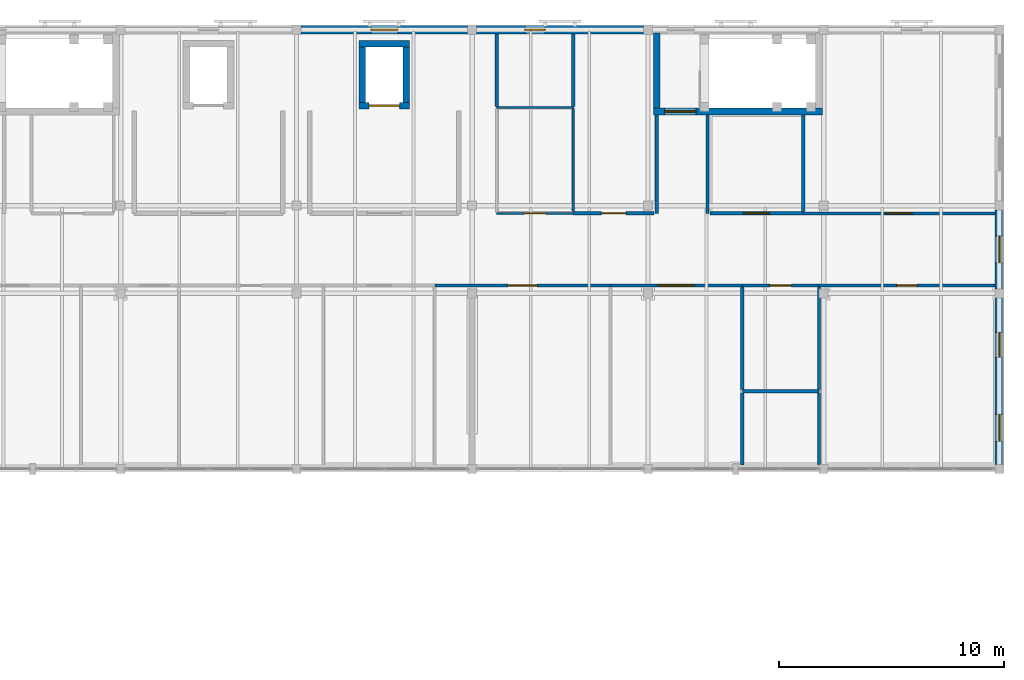
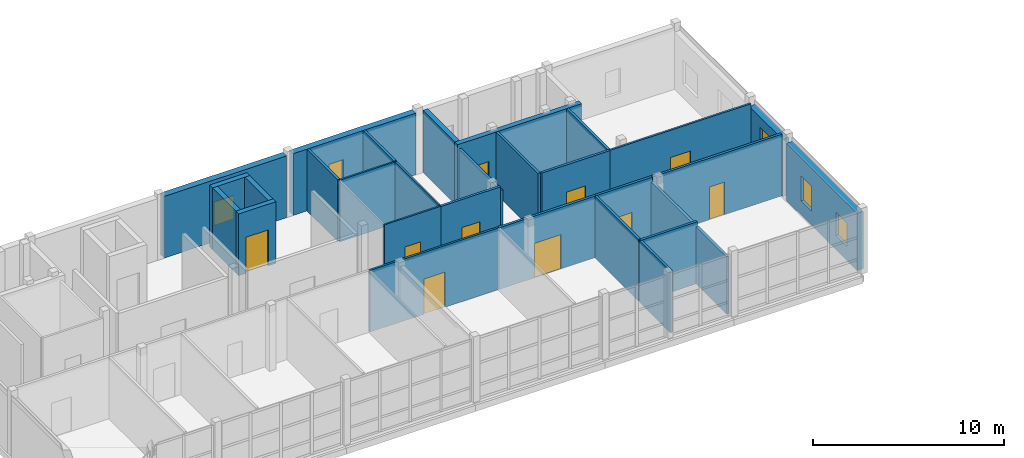
# One storey, part 18 of 21: 30 walls, 10 doors, 5 windows, 15 openings.
"""IFC4 building model written with IfcOpenShell, lengths in metres."""

from ifc_helpers import new_model, si_unit, direction, frame, frame_2d, origin, place, context, subcontext, project, spatial, rectangle, extrude, material, layer, layer_set, type_object, element, fill, save


model = new_model("IFC4")

# Units and contexts
model_context = context("Model", 3, precision=1e-05, world=origin(), true_north=direction((0.0, 1.0)))
body_context = subcontext(model_context, "Body", "Model", "MODEL_VIEW")
ifc_project = project(units=[si_unit("LENGTHUNIT", "METRE"), si_unit("AREAUNIT", "SQUARE_METRE"), si_unit("VOLUMEUNIT", "CUBIC_METRE"), si_unit("PLANEANGLEUNIT", "RADIAN"), si_unit("MASSUNIT", "GRAM", prefix="KILO")], contexts=[model_context])

# Site, building, storey
site_placement = place(None, origin())
site = spatial("IfcSite", under=ifc_project, at=site_placement, CompositionType="ELEMENT")
building_placement = place(site_placement, origin())
building = spatial("IfcBuilding", under=site, at=building_placement, Name="Celorna Specialist Clinic", CompositionType="ELEMENT")
storey_placement = place(building_placement, frame((0.0, 0.0, 23.10009765625)))
storey = spatial("IfcBuildingStorey", under=building, at=storey_placement, Name="L05", CompositionType="ELEMENT", Elevation=23.10009765625)

# Wall, opening, window
ifc_material_1 = material(Name="Terracotta masonry with insulated cavity", Category="masonry")
ifc_layer_1 = layer(ifc_material_1, 0.3798828125, Name="Terracotta masonry with insulated cavity")
ifc_layer_set_1 = layer_set([ifc_layer_1], Name="Terracotta masonry with insulated cavity")
wall_type_1 = type_object("IfcWallType", Name="WT-06", PredefinedType="STANDARD", material=ifc_layer_set_1)
wall_1_placement = place(storey_placement, frame((62.60009765625, 116.0, 0.0), z_axis=(0.0, 0.0, 1.0), x_axis=(1.0, 0.0, 0.0)))
wall_1 = element("IfcWall", 1, at=wall_1_placement, inside=storey, type_object=wall_type_1, Name="External facade wall WT-06 #288", PredefinedType="STANDARD", context=body_context, shape_type="SweptSolid", body=[
    extrude(rectangle(XDim=7.39990234375, YDim=0.3798828125, at=frame_2d((3.699951171875, 0.0))), origin(), (0.0, 0.0, 1.0), 3.93994140625),
])
opening_1_placement = place(wall_1_placement, frame((3.10009765625, 0.0, 0.89990234375)))
opening_1 = element("IfcOpeningElement", 2, at=opening_1_placement, cuts=wall_1, Name="Opening WN-04", PredefinedType="OPENING", context=body_context, shape_type="SweptSolid", body=[
    extrude(rectangle(XDim=1.199951171875, YDim=1.5, at=frame_2d((0.60009765625, 0.75))), frame((0.0, 0.199951171875, 0.0), z_axis=(0.0, -1.0, 0.0), x_axis=(1.0, 0.0, 0.0)), (0.0, 0.0, 1.0), 0.39990234375),
])
ifc_material_2 = material(Name="Thermally broken aluminium triple-glazed window", Category="aluminium")
window_type_1 = type_object("IfcWindowType", Name="WN-04", PartitioningType="SINGLE_PANEL", PredefinedType="WINDOW", material=ifc_material_2)
window_1_placement = place(opening_1_placement, origin())
window_1 = element("IfcWindow", 3, at=window_1_placement, inside=storey, type_object=window_type_1, Name="Facade window WN-04 #167", OverallHeight=1.5, OverallWidth=1.199951171875, PartitioningType="SINGLE_PANEL", PredefinedType="WINDOW", context=body_context, shape_type="SweptSolid", body=[
    extrude(rectangle(XDim=1.199951171875, YDim=1.5, at=frame_2d((0.60009765625, 0.75))), frame((0.0, 0.030029296875, 0.0), z_axis=(0.0, -1.0, 0.0), x_axis=(1.0, 0.0, 0.0)), (0.0, 0.0, 1.0), 0.06005859375),
])
fill(opening_1, window_1)

wall_2_placement = place(storey_placement, frame((70.39990234375, 116.0, 0.0), z_axis=(0.0, 0.0, 1.0), x_axis=(1.0, 0.0, 0.0)))
wall_2 = element("IfcWall", 4, at=wall_2_placement, inside=storey, type_object=wall_type_1, Name="External facade wall WT-06 #289", PredefinedType="STANDARD", context=body_context, shape_type="SweptSolid", body=[
    extrude(rectangle(XDim=7.400146484375, YDim=0.3798828125, at=frame_2d((3.7001953125, 0.0))), origin(), (0.0, 0.0, 1.0), 3.93994140625),
])
opening_2_placement = place(wall_2_placement, frame((2.139892578125, 0.0, 0.89990234375)))
opening_2 = element("IfcOpeningElement", 5, at=opening_2_placement, cuts=wall_2, Name="Opening WN-01", PredefinedType="OPENING", context=body_context, shape_type="SweptSolid", body=[
    extrude(rectangle(XDim=0.89990234375, YDim=1.60009765625, at=frame_2d((0.449951171875, 0.800048828125))), frame((0.0, 0.199951171875, 0.0), z_axis=(0.0, -1.0, 0.0), x_axis=(1.0, 0.0, 0.0)), (0.0, 0.0, 1.0), 0.39990234375),
])
window_type_2 = type_object("IfcWindowType", Name="WN-01", PartitioningType="SINGLE_PANEL", PredefinedType="WINDOW", material=ifc_material_2)
window_2_placement = place(opening_2_placement, origin())
window_2 = element("IfcWindow", 6, at=window_2_placement, inside=storey, type_object=window_type_2, Name="Facade window WN-01 #168", OverallHeight=1.60009765625, OverallWidth=0.89990234375, PartitioningType="SINGLE_PANEL", PredefinedType="WINDOW", context=body_context, shape_type="SweptSolid", body=[
    extrude(rectangle(XDim=0.89990234375, YDim=1.60009765625, at=frame_2d((0.449951171875, 0.800048828125))), frame((0.0, 0.030029296875, 0.0), z_axis=(0.0, -1.0, 0.0), x_axis=(1.0, 0.0, 0.0)), (0.0, 0.0, 1.0), 0.06005859375),
])
fill(opening_2, window_2)

# Wall, openings, windows
wall_3_placement = place(storey_placement, frame((93.60009765625, 104.10009765625, 0.0), z_axis=(0.0, 0.0, 1.0), x_axis=(0.0, -1.0, 0.0)))
wall_3 = element("IfcWall", 7, at=wall_3_placement, inside=storey, type_object=wall_type_1, Name="External facade wall WT-06 #295", PredefinedType="STANDARD", context=body_context, shape_type="SweptSolid", body=[
    extrude(rectangle(XDim=7.400146484375, YDim=0.3798828125, at=frame_2d((3.7001953125, 0.0))), origin(), (0.0, 0.0, 1.0), 3.64990234375),
])
opening_3_placement = place(wall_3_placement, frame((1.534912109375, 0.0, 0.89990234375)))
opening_3 = element("IfcOpeningElement", 8, at=opening_3_placement, cuts=wall_3, Name="Opening WN-03", PredefinedType="OPENING", context=body_context, shape_type="SweptSolid", body=[
    extrude(rectangle(XDim=1.10009765625, YDim=1.60009765625, at=frame_2d((0.550048828125, 0.800048828125))), frame((0.0, 0.199951171875, 0.0), z_axis=(0.0, -1.0, 0.0), x_axis=(1.0, 0.0, 0.0)), (0.0, 0.0, 1.0), 0.39990234375),
])
opening_4_placement = place(wall_3_placement, frame((5.1650390625, 0.0, 0.89990234375)))
opening_4 = element("IfcOpeningElement", 9, at=opening_4_placement, cuts=wall_3, Name="Opening WN-04", PredefinedType="OPENING", context=body_context, shape_type="SweptSolid", body=[
    extrude(rectangle(XDim=1.199951171875, YDim=1.5, at=frame_2d((0.60009765625, 0.75))), frame((0.0, 0.199951171875, 0.0), z_axis=(0.0, -1.0, 0.0), x_axis=(1.0, 0.0, 0.0)), (0.0, 0.0, 1.0), 0.39990234375),
])
window_type_3 = type_object("IfcWindowType", Name="WN-03", PartitioningType="SINGLE_PANEL", PredefinedType="WINDOW", material=ifc_material_2)
window_3_placement = place(opening_3_placement, origin())
window_3 = element("IfcWindow", 10, at=window_3_placement, inside=storey, type_object=window_type_3, Name="Facade window WN-03 #174", OverallHeight=1.60009765625, OverallWidth=1.10009765625, PartitioningType="SINGLE_PANEL", PredefinedType="WINDOW", context=body_context, shape_type="SweptSolid", body=[
    extrude(rectangle(XDim=1.10009765625, YDim=1.60009765625, at=frame_2d((0.550048828125, 0.800048828125))), frame((0.0, 0.030029296875, 0.0), z_axis=(0.0, -1.0, 0.0), x_axis=(1.0, 0.0, 0.0)), (0.0, 0.0, 1.0), 0.06005859375),
])
fill(opening_3, window_3)
window_4_placement = place(opening_4_placement, origin())
window_4 = element("IfcWindow", 11, at=window_4_placement, inside=storey, type_object=window_type_1, Name="Facade window WN-04 #175", OverallHeight=1.5, OverallWidth=1.199951171875, PartitioningType="SINGLE_PANEL", PredefinedType="WINDOW", context=body_context, shape_type="SweptSolid", body=[
    extrude(rectangle(XDim=1.199951171875, YDim=1.5, at=frame_2d((0.60009765625, 0.75))), frame((0.0, 0.030029296875, 0.0), z_axis=(0.0, -1.0, 0.0), x_axis=(1.0, 0.0, 0.0)), (0.0, 0.0, 1.0), 0.06005859375),
])
fill(opening_4, window_4)

# Wall, opening, window
wall_4_placement = place(storey_placement, frame((93.60009765625, 108.0, 0.0), z_axis=(0.0, 0.0, 1.0), x_axis=(0.0, -1.0, 0.0)))
wall_4 = element("IfcWall", 12, at=wall_4_placement, inside=storey, type_object=wall_type_1, Name="External facade wall WT-06 #296", PredefinedType="STANDARD", context=body_context, shape_type="SweptSolid", body=[
    extrude(rectangle(XDim=3.5, YDim=0.3798828125, at=frame_2d((1.75, 0.0))), origin(), (0.0, 0.0, 1.0), 3.64990234375),
])
opening_5_placement = place(wall_4_placement, frame((1.14990234375, 0.0, 0.89990234375)))
opening_5 = element("IfcOpeningElement", 13, at=opening_5_placement, cuts=wall_4, Name="Opening WN-06", PredefinedType="OPENING", context=body_context, shape_type="SweptSolid", body=[
    extrude(rectangle(XDim=1.199951171875, YDim=2.10009765625, at=frame_2d((0.60009765625, 1.050048828125))), frame((0.0, 0.199951171875, 0.0), z_axis=(0.0, -1.0, 0.0), x_axis=(1.0, 0.0, 0.0)), (0.0, 0.0, 1.0), 0.39990234375),
])
window_type_4 = type_object("IfcWindowType", Name="WN-06", PartitioningType="SINGLE_PANEL", PredefinedType="WINDOW", material=ifc_material_2)
window_5_placement = place(opening_5_placement, origin())
window_5 = element("IfcWindow", 14, at=window_5_placement, inside=storey, type_object=window_type_4, Name="Facade window WN-06 #176", OverallHeight=2.10009765625, OverallWidth=1.199951171875, PartitioningType="SINGLE_PANEL", PredefinedType="WINDOW", context=body_context, shape_type="SweptSolid", body=[
    extrude(rectangle(XDim=1.199951171875, YDim=2.10009765625, at=frame_2d((0.60009765625, 1.050048828125))), frame((0.0, 0.030029296875, 0.0), z_axis=(0.0, -1.0, 0.0), x_axis=(1.0, 0.0, 0.0)), (0.0, 0.0, 1.0), 0.06005859375),
])
fill(opening_5, window_5)

# Wall, opening, door
ifc_material_3 = material(Name="Concrete C35/45", Category="concrete")
ifc_layer_2 = layer(ifc_material_3, 0.300048828125, Name="Concrete C35/45")
ifc_layer_set_2 = layer_set([ifc_layer_2], Name="Concrete C35/45")
wall_type_2 = type_object("IfcWallType", Name="WT-08", PredefinedType="SHEAR", material=ifc_layer_set_2)
wall_5_placement = place(storey_placement, frame((78.239990234375, 112.3701171875, 0.0), z_axis=(0.0, 0.0, 1.0), x_axis=(1.0, 0.0, 0.0)))
wall_5 = element("IfcWall", 15, at=wall_5_placement, inside=storey, type_object=wall_type_2, Name="Stair ST-02 RC core wall L05 south", PredefinedType="SHEAR", context=body_context, shape_type="SweptSolid", body=[
    extrude(rectangle(XDim=7.5, YDim=0.300048828125, at=frame_2d((3.75, 0.0))), origin(), (0.0, 0.0, 1.0), 3.93994140625),
])
opening_6_placement = place(wall_5_placement, frame((0.5, 0.0, 0.0)))
opening_6 = element("IfcOpeningElement", 16, at=opening_6_placement, cuts=wall_5, Name="Opening DR-10", PredefinedType="OPENING", context=body_context, shape_type="SweptSolid", body=[
    extrude(rectangle(XDim=1.39990234375, YDim=2.199951171875, at=frame_2d((0.699951171875, 1.10009765625))), frame((0.0, 0.159912109375, 0.0), z_axis=(0.0, -1.0, 0.0), x_axis=(1.0, 0.0, 0.0)), (0.0, 0.0, 1.0), 0.320068359375),
])
ifc_material_4 = material(Name="Protected exit stair fire door")
door_type_1 = type_object("IfcDoorType", Name="DR-10", OperationType="NOTDEFINED", PredefinedType="DOOR", material=ifc_material_4)
door_1_placement = place(opening_6_placement, origin())
door_1 = element("IfcDoor", 17, at=door_1_placement, inside=storey, type_object=door_type_1, Name="Protected exit stair door ST-02 L05", OperationType="SINGLE_SWING_LEFT", OverallHeight=2.199951171875, OverallWidth=1.39990234375, PredefinedType="DOOR", context=body_context, shape_type="SweptSolid", body=[
    extrude(rectangle(XDim=1.39990234375, YDim=2.199951171875, at=frame_2d((0.699951171875, 1.10009765625))), frame((0.0, 0.02490234375, 0.0), z_axis=(0.0, -1.0, 0.0), x_axis=(1.0, 0.0, 0.0)), (0.0, 0.0, 1.0), 0.050048828125),
])
fill(opening_6, door_1)

# Wall
wall_6_placement = place(storey_placement, frame((78.389892578125, 115.85009765625, 0.0), z_axis=(0.0, 0.0, 1.0), x_axis=(0.0, -1.0, 0.0)))
element("IfcWall", 18, at=wall_6_placement, inside=storey, type_object=wall_type_2, Name="Stair ST-02 RC core wall L05 west", PredefinedType="SHEAR", context=body_context, shape_type="SweptSolid", body=[
    extrude(rectangle(XDim=3.330078125, YDim=0.300048828125, at=frame_2d((1.6650390625, 0.0))), origin(), (0.0, 0.0, 1.0), 3.93994140625),
])

# Wall, opening, door
wall_7_placement = place(storey_placement, frame((65.175048828125, 112.625, 0.0), z_axis=(0.0, 0.0, 1.0), x_axis=(1.0, 0.0, 0.0)))
wall_7 = element("IfcWall", 19, at=wall_7_placement, inside=storey, type_object=wall_type_2, Name="Lift LF-02 RC shaft wall L05", PredefinedType="SHEAR", context=body_context, shape_type="SweptSolid", body=[
    extrude(rectangle(XDim=2.25, YDim=0.300048828125, at=frame_2d((1.125, 0.0))), origin(), (0.0, 0.0, 1.0), 3.93994140625),
])
opening_7_placement = place(wall_7_placement, frame((0.449951171875, 0.0, 0.0)))
opening_7 = element("IfcOpeningElement", 20, at=opening_7_placement, cuts=wall_7, Name="Opening LD-02", PredefinedType="OPENING", context=body_context, shape_type="SweptSolid", body=[
    extrude(rectangle(XDim=1.35009765625, YDim=2.300048828125, at=frame_2d((0.675048828125, 1.14990234375))), frame((0.0, 0.159912109375, 0.0), z_axis=(0.0, -1.0, 0.0), x_axis=(1.0, 0.0, 0.0)), (0.0, 0.0, 1.0), 0.320068359375),
])
ifc_material_5 = material(Name="Firefighting stretcher lift landing sliding door")
door_type_2 = type_object("IfcDoorType", Name="LD-02", OperationType="DOUBLE_DOOR_SLIDING", PredefinedType="DOOR", material=ifc_material_5)
door_2_placement = place(opening_7_placement, origin())
door_2 = element("IfcDoor", 21, at=door_2_placement, inside=storey, type_object=door_type_2, Name="Lift LF-02 sliding landing door L05", OperationType="DOUBLE_DOOR_SLIDING", OverallHeight=2.300048828125, OverallWidth=1.35009765625, PredefinedType="DOOR", context=body_context, shape_type="SweptSolid", body=[
    extrude(rectangle(XDim=1.35009765625, YDim=2.300048828125, at=frame_2d((0.675048828125, 1.14990234375))), frame((0.0, 0.02490234375, 0.0), z_axis=(0.0, -1.0, 0.0), x_axis=(1.0, 0.0, 0.0)), (0.0, 0.0, 1.0), 0.050048828125),
])
fill(opening_7, door_2)

# Walls
wall_8_placement = place(storey_placement, frame((67.425048828125, 115.375, 0.0), z_axis=(0.0, 0.0, 1.0), x_axis=(-1.0, 0.0, 0.0)))
element("IfcWall", 22, at=wall_8_placement, inside=storey, type_object=wall_type_2, Name="Lift LF-02 RC shaft wall L05", PredefinedType="SHEAR", context=body_context, shape_type="SweptSolid", body=[
    extrude(rectangle(XDim=2.25, YDim=0.300048828125, at=frame_2d((1.125, 0.0))), origin(), (0.0, 0.0, 1.0), 3.93994140625),
])
for number, where, z_axis, x_axis, name in (
    (23, (65.324951171875, 115.22509765625, 0.0), (0.0, 0.0, 1.0), (0.0, -1.0, 0.0), "Lift LF-02 RC shaft wall L05"),
    (24, (67.27490234375, 112.77490234375, 0.0), (0.0, 0.0, 1.0), (0.0, 1.0, 0.0), "Lift LF-02 RC shaft wall L05"),
):
    element("IfcWall", number, at=place(storey_placement, frame(where, z_axis=z_axis, x_axis=x_axis)), inside=storey, type_object=wall_type_2, Name=name, PredefinedType="SHEAR", context=body_context, shape_type="SweptSolid", body=[
        extrude(rectangle(XDim=2.4501953125, YDim=0.300048828125, at=frame_2d((1.22509765625, 0.0))), origin(), (0.0, 0.0, 1.0), 3.93994140625),
    ])
ifc_material_6 = material(Name="Fire-rated gypsum board partition")
ifc_layer_3 = layer(ifc_material_6, 0.14990234375, Name="Fire-rated gypsum board partition")
ifc_layer_set_3 = layer_set([ifc_layer_3], Name="Fire-rated gypsum board partition")
wall_type_3 = type_object("IfcWallType", Name="WT-14", PredefinedType="PARTITIONING", material=ifc_layer_set_3)
wall_9_placement = place(storey_placement, frame((78.389892578125, 107.85009765625, 0.0), z_axis=(0.0, 0.0, 1.0), x_axis=(0.0, 1.0, 0.0)))
element("IfcWall", 25, at=wall_9_placement, inside=storey, type_object=wall_type_3, Name="Corridor spur partition WT-14", PredefinedType="PARTITIONING", context=body_context, shape_type="SweptSolid", body=[
    extrude(rectangle(XDim=4.369873046875, YDim=0.14990234375, at=frame_2d((2.18505859375, 0.0))), origin(), (0.0, 0.0, 1.0), 3.64990234375),
])
wall_10_placement = place(storey_placement, frame((80.639892578125, 107.85009765625, 0.0), z_axis=(0.0, 0.0, 1.0), x_axis=(0.0, 1.0, 0.0)))
element("IfcWall", 26, at=wall_10_placement, inside=storey, type_object=wall_type_3, Name="Corridor spur partition WT-14", PredefinedType="PARTITIONING", context=body_context, shape_type="SweptSolid", body=[
    extrude(rectangle(XDim=4.369873046875, YDim=0.14990234375, at=frame_2d((2.18505859375, 0.0))), origin(), (0.0, 0.0, 1.0), 3.93994140625),
])

# Wall, opening, door
wall_11_placement = place(storey_placement, frame((82.18994140625, 104.64990234375, 0.0), z_axis=(0.0, 0.0, 1.0), x_axis=(-1.0, 0.0, 0.0)))
wall_11 = element("IfcWall", 27, at=wall_11_placement, inside=storey, type_object=wall_type_3, Name="Interior partition WT-14 L05-011", PredefinedType="PARTITIONING", context=body_context, shape_type="SweptSolid", body=[
    extrude(rectangle(XDim=5.849853515625, YDim=0.14990234375, at=frame_2d((2.9248046875, 0.0))), origin(), (0.0, 0.0, 1.0), 3.93994140625),
])
opening_8_placement = place(wall_11_placement, frame((2.125, 0.0, 0.0)))
opening_8 = element("IfcOpeningElement", 28, at=opening_8_placement, cuts=wall_11, Name="Opening DR-12", PredefinedType="OPENING", context=body_context, shape_type="SweptSolid", body=[
    extrude(rectangle(XDim=1.60009765625, YDim=2.199951171875, at=frame_2d((0.800048828125, 1.10009765625))), frame((0.0, 0.0849609375, 0.0), z_axis=(0.0, -1.0, 0.0), x_axis=(1.0, 0.0, 0.0)), (0.0, 0.0, 1.0), 0.169921875),
])
ifc_material_7 = material(Name="Corridor cross-compartment pair door")
door_type_3 = type_object("IfcDoorType", Name="DR-12", OperationType="DOUBLE_DOOR_SINGLE_SWING", PredefinedType="DOOR", material=ifc_material_7)
door_3_placement = place(opening_8_placement, origin())
door_3 = element("IfcDoor", 29, at=door_3_placement, inside=storey, type_object=door_type_3, Name="Patient and Family Consultation Lounge door L05-011", OperationType="DOUBLE_DOOR_SINGLE_SWING", OverallHeight=2.199951171875, OverallWidth=1.60009765625, PredefinedType="DOOR", context=body_context, shape_type="SweptSolid", body=[
    extrude(rectangle(XDim=1.60009765625, YDim=2.199951171875, at=frame_2d((0.800048828125, 1.10009765625))), frame((0.0, 0.02490234375, 0.0), z_axis=(0.0, -1.0, 0.0), x_axis=(1.0, 0.0, 0.0)), (0.0, 0.0, 1.0), 0.050048828125),
])
fill(opening_8, door_3)

wall_12_placement = place(storey_placement, frame((85.590087890625, 104.64990234375, 0.0), z_axis=(0.0, 0.0, 1.0), x_axis=(-1.0, 0.0, 0.0)))
wall_12 = element("IfcWall", 30, at=wall_12_placement, inside=storey, type_object=wall_type_3, Name="Interior partition WT-14 L05-012", PredefinedType="PARTITIONING", context=body_context, shape_type="SweptSolid", body=[
    extrude(rectangle(XDim=3.400146484375, YDim=0.14990234375, at=frame_2d((1.7001953125, 0.0))), origin(), (0.0, 0.0, 1.0), 3.93994140625),
])
opening_9_placement = place(wall_12_placement, frame((1.22509765625, 0.0, 0.0)))
opening_9 = element("IfcOpeningElement", 31, at=opening_9_placement, cuts=wall_12, Name="Opening DR-03", PredefinedType="OPENING", context=body_context, shape_type="SweptSolid", body=[
    extrude(rectangle(XDim=0.949951171875, YDim=2.10009765625, at=frame_2d((0.47509765625, 1.050048828125))), frame((0.0, 0.0849609375, 0.0), z_axis=(0.0, -1.0, 0.0), x_axis=(1.0, 0.0, 0.0)), (0.0, 0.0, 1.0), 0.169921875),
])
ifc_material_8 = material(Name="Moisture-resistant accessible WC door")
door_type_4 = type_object("IfcDoorType", Name="DR-03", OperationType="NOTDEFINED", PredefinedType="DOOR", material=ifc_material_8)
door_4_placement = place(opening_9_placement, origin())
door_4 = element("IfcDoor", 32, at=door_4_placement, inside=storey, type_object=door_type_4, Name="Accessible WC door L05-012", OperationType="SINGLE_SWING_LEFT", OverallHeight=2.10009765625, OverallWidth=0.949951171875, PredefinedType="DOOR", context=body_context, shape_type="SweptSolid", body=[
    extrude(rectangle(XDim=0.949951171875, YDim=2.10009765625, at=frame_2d((0.47509765625, 1.050048828125))), frame((0.0, 0.02490234375, 0.0), z_axis=(0.0, -1.0, 0.0), x_axis=(1.0, 0.0, 0.0)), (0.0, 0.0, 1.0), 0.050048828125),
])
fill(opening_9, door_4)

# Wall
wall_13_placement = place(storey_placement, frame((82.18994140625, 99.949951171875, 0.0), z_axis=(0.0, 0.0, 1.0), x_axis=(1.0, 0.0, 0.0)))
element("IfcWall", 33, at=wall_13_placement, inside=storey, type_object=wall_type_3, Name="Sanitary suite rear partition L05-012", PredefinedType="PARTITIONING", context=body_context, shape_type="SweptSolid", body=[
    extrude(rectangle(XDim=3.400146484375, YDim=0.14990234375, at=frame_2d((1.7001953125, 0.0))), origin(), (0.0, 0.0, 1.0), 3.93994140625),
])

# Wall, opening, door
wall_14_placement = place(storey_placement, frame((93.409912109375, 104.64990234375, 0.0), z_axis=(0.0, 0.0, 1.0), x_axis=(-1.0, 0.0, 0.0)))
wall_14 = element("IfcWall", 34, at=wall_14_placement, inside=storey, type_object=wall_type_3, Name="Interior partition WT-14 L05-013", PredefinedType="PARTITIONING", context=body_context, shape_type="SweptSolid", body=[
    extrude(rectangle(XDim=7.81982421875, YDim=0.14990234375, at=frame_2d((3.909912109375, 0.0))), origin(), (0.0, 0.0, 1.0), 3.93994140625),
])
opening_10_placement = place(wall_14_placement, frame((3.4599609375, 0.0, 0.0)))
opening_10 = element("IfcOpeningElement", 35, at=opening_10_placement, cuts=wall_14, Name="Opening DR-02", PredefinedType="OPENING", context=body_context, shape_type="SweptSolid", body=[
    extrude(rectangle(XDim=0.89990234375, YDim=2.10009765625, at=frame_2d((0.449951171875, 1.050048828125))), frame((0.0, 0.0849609375, 0.0), z_axis=(0.0, -1.0, 0.0), x_axis=(1.0, 0.0, 0.0)), (0.0, 0.0, 1.0), 0.169921875),
])
ifc_material_9 = material(Name="Timber acoustic clinical door", Category="wood")
door_type_5 = type_object("IfcDoorType", Name="DR-02", OperationType="NOTDEFINED", PredefinedType="DOOR", material=ifc_material_9)
door_5_placement = place(opening_10_placement, origin())
door_5 = element("IfcDoor", 36, at=door_5_placement, inside=storey, type_object=door_type_5, Name="Consulting Room door L05-013", OperationType="SINGLE_SWING_RIGHT", OverallHeight=2.10009765625, OverallWidth=0.89990234375, PredefinedType="DOOR", context=body_context, shape_type="SweptSolid", body=[
    extrude(rectangle(XDim=0.89990234375, YDim=2.10009765625, at=frame_2d((0.449951171875, 1.050048828125))), frame((0.0, 0.02490234375, 0.0), z_axis=(0.0, -1.0, 0.0), x_axis=(1.0, 0.0, 0.0)), (0.0, 0.0, 1.0), 0.050048828125),
])
fill(opening_10, door_5)

wall_15_placement = place(storey_placement, frame((74.68994140625, 107.85009765625, 0.0), z_axis=(0.0, 0.0, 1.0), x_axis=(1.0, 0.0, 0.0)))
wall_15 = element("IfcWall", 37, at=wall_15_placement, inside=storey, type_object=wall_type_3, Name="Interior partition WT-14 L05-016", PredefinedType="PARTITIONING", context=body_context, shape_type="SweptSolid", body=[
    extrude(rectangle(XDim=3.580078125, YDim=0.14990234375, at=frame_2d((1.7900390625, 0.0))), origin(), (0.0, 0.0, 1.0), 3.93994140625),
])
opening_11_placement = place(wall_15_placement, frame((1.239990234375, 0.0, 0.0)))
opening_11 = element("IfcOpeningElement", 38, at=opening_11_placement, cuts=wall_15, Name="Opening DR-06", PredefinedType="OPENING", context=body_context, shape_type="SweptSolid", body=[
    extrude(rectangle(XDim=1.10009765625, YDim=2.14990234375, at=frame_2d((0.550048828125, 1.074951171875))), frame((0.0, 0.0849609375, 0.0), z_axis=(0.0, -1.0, 0.0), x_axis=(1.0, 0.0, 0.0)), (0.0, 0.0, 1.0), 0.169921875),
])
ifc_material_10 = material(Name="Clinical treatment suite door")
door_type_6 = type_object("IfcDoorType", Name="DR-06", OperationType="NOTDEFINED", PredefinedType="DOOR", material=ifc_material_10)
door_6_placement = place(opening_11_placement, origin())
door_6 = element("IfcDoor", 39, at=door_6_placement, inside=storey, type_object=door_type_6, Name="Multidisciplinary Oncology Board Room door L05-016", OperationType="SINGLE_SWING_LEFT", OverallHeight=2.14990234375, OverallWidth=1.10009765625, PredefinedType="DOOR", context=body_context, shape_type="SweptSolid", body=[
    extrude(rectangle(XDim=1.10009765625, YDim=2.14990234375, at=frame_2d((0.550048828125, 1.074951171875))), frame((0.0, 0.02490234375, 0.0), z_axis=(0.0, -1.0, 0.0), x_axis=(1.0, 0.0, 0.0)), (0.0, 0.0, 1.0), 0.050048828125),
])
fill(opening_11, door_6)

wall_16_placement = place(storey_placement, frame((80.760009765625, 107.85009765625, 0.0), z_axis=(0.0, 0.0, 1.0), x_axis=(1.0, 0.0, 0.0)))
wall_16 = element("IfcWall", 40, at=wall_16_placement, inside=storey, type_object=wall_type_3, Name="Interior partition WT-14 L05-017", PredefinedType="PARTITIONING", context=body_context, shape_type="SweptSolid", body=[
    extrude(rectangle(XDim=4.1298828125, YDim=0.14990234375, at=frame_2d((2.06494140625, 0.0))), origin(), (0.0, 0.0, 1.0), 3.93994140625),
])
opening_12_placement = place(wall_16_placement, frame((1.489990234375, 0.0, 0.0)))
opening_12 = element("IfcOpeningElement", 41, at=opening_12_placement, cuts=wall_16, Name="Opening DR-07", PredefinedType="OPENING", context=body_context, shape_type="SweptSolid", body=[
    extrude(rectangle(XDim=1.14990234375, YDim=2.199951171875, at=frame_2d((0.574951171875, 1.10009765625))), frame((0.0, 0.0849609375, 0.0), z_axis=(0.0, -1.0, 0.0), x_axis=(1.0, 0.0, 0.0)), (0.0, 0.0, 1.0), 0.169921875),
])
ifc_material_11 = material(Name="Hermetic cleanroom airlock door")
door_type_7 = type_object("IfcDoorType", Name="DR-07", OperationType="NOTDEFINED", PredefinedType="DOOR", material=ifc_material_11)
door_7_placement = place(opening_12_placement, origin())
door_7 = element("IfcDoor", 42, at=door_7_placement, inside=storey, type_object=door_type_7, Name="Consulting Room door L05-017", OperationType="SINGLE_SWING_RIGHT", OverallHeight=2.199951171875, OverallWidth=1.14990234375, PredefinedType="DOOR", context=body_context, shape_type="SweptSolid", body=[
    extrude(rectangle(XDim=1.14990234375, YDim=2.199951171875, at=frame_2d((0.574951171875, 1.10009765625))), frame((0.0, 0.02490234375, 0.0), z_axis=(0.0, -1.0, 0.0), x_axis=(1.0, 0.0, 0.0)), (0.0, 0.0, 1.0), 0.050048828125),
])
fill(opening_12, door_7)

# Walls
wall_17_placement = place(storey_placement, frame((82.18994140625, 96.68994140625, 0.0), z_axis=(0.0, 0.0, 1.0), x_axis=(0.0, 1.0, 0.0)))
element("IfcWall", 43, at=wall_17_placement, inside=storey, type_object=wall_type_3, Name="Room dividing partition WT-14 L05-011", PredefinedType="PARTITIONING", context=body_context, shape_type="SweptSolid", body=[
    extrude(rectangle(XDim=3.18505859375, YDim=0.14990234375, at=frame_2d((1.592529296875, 0.0))), origin(), (0.0, 0.0, 1.0), 3.93994140625),
])
wall_18_placement = place(storey_placement, frame((82.18994140625, 100.02490234375, 0.0), z_axis=(0.0, 0.0, 1.0), x_axis=(0.0, 1.0, 0.0)))
element("IfcWall", 44, at=wall_18_placement, inside=storey, type_object=wall_type_3, Name="Room dividing partition WT-14 L05-011", PredefinedType="PARTITIONING", context=body_context, shape_type="SweptSolid", body=[
    extrude(rectangle(XDim=4.550048828125, YDim=0.14990234375, at=frame_2d((2.27490234375, 0.0))), origin(), (0.0, 0.0, 1.0), 3.93994140625),
])
wall_19_placement = place(storey_placement, frame((85.590087890625, 100.02490234375, 0.0), z_axis=(0.0, 0.0, 1.0), x_axis=(0.0, 1.0, 0.0)))
element("IfcWall", 45, at=wall_19_placement, inside=storey, type_object=wall_type_3, Name="Room dividing partition WT-14 L05-012", PredefinedType="PARTITIONING", context=body_context, shape_type="SweptSolid", body=[
    extrude(rectangle(XDim=4.550048828125, YDim=0.14990234375, at=frame_2d((2.27490234375, 0.0))), origin(), (0.0, 0.0, 1.0), 3.64990234375),
])
wall_20_placement = place(storey_placement, frame((85.590087890625, 96.68994140625, 0.0), z_axis=(0.0, 0.0, 1.0), x_axis=(0.0, 1.0, 0.0)))
element("IfcWall", 46, at=wall_20_placement, inside=storey, type_object=wall_type_3, Name="Room dividing partition WT-14 L05-013", PredefinedType="PARTITIONING", context=body_context, shape_type="SweptSolid", body=[
    extrude(rectangle(XDim=3.18505859375, YDim=0.14990234375, at=frame_2d((1.592529296875, 0.0))), origin(), (0.0, 0.0, 1.0), 3.64990234375),
])
for number, where, z_axis, x_axis, name in (
    (47, (74.68994140625, 112.60009765625, 0.0), (0.0, 0.0, 1.0), (0.0, 1.0, 0.0), "Room dividing partition WT-14 L05-016"),
    (48, (71.2900390625, 112.60009765625, 0.0), (0.0, 0.0, 1.0), (0.0, 1.0, 0.0), "Room dividing partition WT-14 L05-016"),
):
    element("IfcWall", number, at=place(storey_placement, frame(where, z_axis=z_axis, x_axis=x_axis)), inside=storey, type_object=wall_type_3, Name=name, PredefinedType="PARTITIONING", context=body_context, shape_type="SweptSolid", body=[
        extrude(rectangle(XDim=3.2099609375, YDim=0.14990234375, at=frame_2d((1.60498046875, 0.0))), origin(), (0.0, 0.0, 1.0), 3.93994140625),
    ])
wall_21_placement = place(storey_placement, frame((84.889892578125, 107.925048828125, 0.0), z_axis=(0.0, 0.0, 1.0), x_axis=(0.0, 1.0, 0.0)))
element("IfcWall", 49, at=wall_21_placement, inside=storey, type_object=wall_type_3, Name="Room dividing partition WT-14 L05-017", PredefinedType="PARTITIONING", context=body_context, shape_type="SweptSolid", body=[
    extrude(rectangle(XDim=4.294921875, YDim=0.14990234375, at=frame_2d((2.1474609375, 0.0))), origin(), (0.0, 0.0, 1.0), 3.93994140625),
])

# Wall, opening, door
ifc_material_12 = material(Name="Acoustic gypsum board partition")
ifc_layer_4 = layer(ifc_material_12, 0.1201171875, Name="Acoustic gypsum board partition")
ifc_layer_set_4 = layer_set([ifc_layer_4], Name="Acoustic gypsum board partition")
wall_type_4 = type_object("IfcWallType", Name="WT-15", PredefinedType="PARTITIONING", material=ifc_layer_set_4)
wall_22_placement = place(storey_placement, frame((76.340087890625, 104.64990234375, 0.0), z_axis=(0.0, 0.0, 1.0), x_axis=(-1.0, 0.0, 0.0)))
wall_22 = element("IfcWall", 50, at=wall_22_placement, inside=storey, type_object=wall_type_4, Name="Interior partition WT-15 L05-010", PredefinedType="PARTITIONING", context=body_context, shape_type="SweptSolid", body=[
    extrude(rectangle(XDim=7.800048828125, YDim=0.1201171875, at=frame_2d((3.89990234375, 0.0))), origin(), (0.0, 0.0, 1.0), 3.93994140625),
])
opening_13_placement = place(wall_22_placement, frame((3.260009765625, 0.0, 0.0)))
opening_13 = element("IfcOpeningElement", 51, at=opening_13_placement, cuts=wall_22, Name="Opening DR-22", PredefinedType="OPENING", context=body_context, shape_type="SweptSolid", body=[
    extrude(rectangle(XDim=1.280029296875, YDim=2.25, at=frame_2d((0.64013671875, 1.125))), frame((0.0, 0.070068359375, 0.0), z_axis=(0.0, -1.0, 0.0), x_axis=(1.0, 0.0, 0.0)), (0.0, 0.0, 1.0), 0.14013671875),
])
ifc_material_13 = material(Name="Diagnostic procedure room door")
door_type_8 = type_object("IfcDoorType", Name="DR-22", OperationType="NOTDEFINED", PredefinedType="DOOR", material=ifc_material_13)
door_8_placement = place(opening_13_placement, origin())
door_8 = element("IfcDoor", 52, at=door_8_placement, inside=storey, type_object=door_type_8, Name="Clinical Governance Administration Office door L05-010", OperationType="SINGLE_SWING_LEFT", OverallHeight=2.25, OverallWidth=1.280029296875, PredefinedType="DOOR", context=body_context, shape_type="SweptSolid", body=[
    extrude(rectangle(XDim=1.280029296875, YDim=2.25, at=frame_2d((0.64013671875, 1.125))), frame((0.0, 0.02490234375, 0.0), z_axis=(0.0, -1.0, 0.0), x_axis=(1.0, 0.0, 0.0)), (0.0, 0.0, 1.0), 0.050048828125),
])
fill(opening_13, door_8)

wall_23_placement = place(storey_placement, frame((84.889892578125, 107.85009765625, 0.0), z_axis=(0.0, 0.0, 1.0), x_axis=(1.0, 0.0, 0.0)))
wall_23 = element("IfcWall", 53, at=wall_23_placement, inside=storey, type_object=wall_type_4, Name="Interior partition WT-15 L05-018", PredefinedType="PARTITIONING", context=body_context, shape_type="SweptSolid", body=[
    extrude(rectangle(XDim=8.52001953125, YDim=0.1201171875, at=frame_2d((4.260009765625, 0.0))), origin(), (0.0, 0.0, 1.0), 3.93994140625),
])
opening_14_placement = place(wall_23_placement, frame((3.659912109375, 0.0, 0.0)))
opening_14 = element("IfcOpeningElement", 54, at=opening_14_placement, cuts=wall_23, Name="Opening DR-08", PredefinedType="OPENING", context=body_context, shape_type="SweptSolid", body=[
    extrude(rectangle(XDim=1.199951171875, YDim=2.199951171875, at=frame_2d((0.60009765625, 1.10009765625))), frame((0.0, 0.070068359375, 0.0), z_axis=(0.0, -1.0, 0.0), x_axis=(1.0, 0.0, 0.0)), (0.0, 0.0, 1.0), 0.14013671875),
])
ifc_material_14 = material(Name="Stretcher-width clinical door")
door_type_9 = type_object("IfcDoorType", Name="DR-08", OperationType="NOTDEFINED", PredefinedType="DOOR", material=ifc_material_14)
door_9_placement = place(opening_14_placement, origin())
door_9 = element("IfcDoor", 55, at=door_9_placement, inside=storey, type_object=door_type_9, Name="Telemedicine Specialist Consultation Suite door L05-018", OperationType="SINGLE_SWING_LEFT", OverallHeight=2.199951171875, OverallWidth=1.199951171875, PredefinedType="DOOR", context=body_context, shape_type="SweptSolid", body=[
    extrude(rectangle(XDim=1.199951171875, YDim=2.199951171875, at=frame_2d((0.60009765625, 1.10009765625))), frame((0.0, 0.02490234375, 0.0), z_axis=(0.0, -1.0, 0.0), x_axis=(1.0, 0.0, 0.0)), (0.0, 0.0, 1.0), 0.050048828125),
])
fill(opening_14, door_9)

ifc_material_15 = material(Name="Moisture-resistant gypsum partition")
ifc_layer_5 = layer(ifc_material_15, 0.10009765625, Name="Moisture-resistant gypsum partition")
ifc_layer_set_5 = layer_set([ifc_layer_5], Name="Moisture-resistant gypsum partition")
wall_type_5 = type_object("IfcWallType", Name="WT-16", PredefinedType="PARTITIONING", material=ifc_layer_set_5)
wall_24_placement = place(storey_placement, frame((71.2900390625, 107.85009765625, 0.0), z_axis=(0.0, 0.0, 1.0), x_axis=(1.0, 0.0, 0.0)))
wall_24 = element("IfcWall", 56, at=wall_24_placement, inside=storey, type_object=wall_type_5, Name="Interior partition WT-16 L05-015", PredefinedType="PARTITIONING", context=body_context, shape_type="SweptSolid", body=[
    extrude(rectangle(XDim=3.39990234375, YDim=0.10009765625, at=frame_2d((1.699951171875, 0.0))), origin(), (0.0, 0.0, 1.0), 3.93994140625),
])
opening_15_placement = place(wall_24_placement, frame((1.22509765625, 0.0, 0.0)))
opening_15 = element("IfcOpeningElement", 57, at=opening_15_placement, cuts=wall_24, Name="Opening DR-03", PredefinedType="OPENING", context=body_context, shape_type="SweptSolid", body=[
    extrude(rectangle(XDim=0.949951171875, YDim=2.10009765625, at=frame_2d((0.47509765625, 1.050048828125))), frame((0.0, 0.06005859375, 0.0), z_axis=(0.0, -1.0, 0.0), x_axis=(1.0, 0.0, 0.0)), (0.0, 0.0, 1.0), 0.1201171875),
])
door_10_placement = place(opening_15_placement, origin())
door_10 = element("IfcDoor", 58, at=door_10_placement, inside=storey, type_object=door_type_4, Name="Staff WC door L05-015", OperationType="SINGLE_SWING_RIGHT", OverallHeight=2.10009765625, OverallWidth=0.949951171875, PredefinedType="DOOR", context=body_context, shape_type="SweptSolid", body=[
    extrude(rectangle(XDim=0.949951171875, YDim=2.10009765625, at=frame_2d((0.47509765625, 1.050048828125))), frame((0.0, 0.02490234375, 0.0), z_axis=(0.0, -1.0, 0.0), x_axis=(1.0, 0.0, 0.0)), (0.0, 0.0, 1.0), 0.050048828125),
])
fill(opening_15, door_10)

# Walls
wall_25_placement = place(storey_placement, frame((71.2900390625, 112.550048828125, 0.0), z_axis=(0.0, 0.0, 1.0), x_axis=(1.0, 0.0, 0.0)))
element("IfcWall", 59, at=wall_25_placement, inside=storey, type_object=wall_type_5, Name="Sanitary suite rear partition L05-015", PredefinedType="PARTITIONING", context=body_context, shape_type="SweptSolid", body=[
    extrude(rectangle(XDim=3.39990234375, YDim=0.10009765625, at=frame_2d((1.699951171875, 0.0))), origin(), (0.0, 0.0, 1.0), 3.93994140625),
])
wall_26_placement = place(storey_placement, frame((74.68994140625, 107.925048828125, 0.0), z_axis=(0.0, 0.0, 1.0), x_axis=(0.0, 1.0, 0.0)))
element("IfcWall", 60, at=wall_26_placement, inside=storey, type_object=wall_type_5, Name="Room dividing partition WT-16 L05-015", PredefinedType="PARTITIONING", context=body_context, shape_type="SweptSolid", body=[
    extrude(rectangle(XDim=4.574951171875, YDim=0.10009765625, at=frame_2d((2.28759765625, 0.0))), origin(), (0.0, 0.0, 1.0), 3.93994140625),
])

save(model, "model.ifc")
